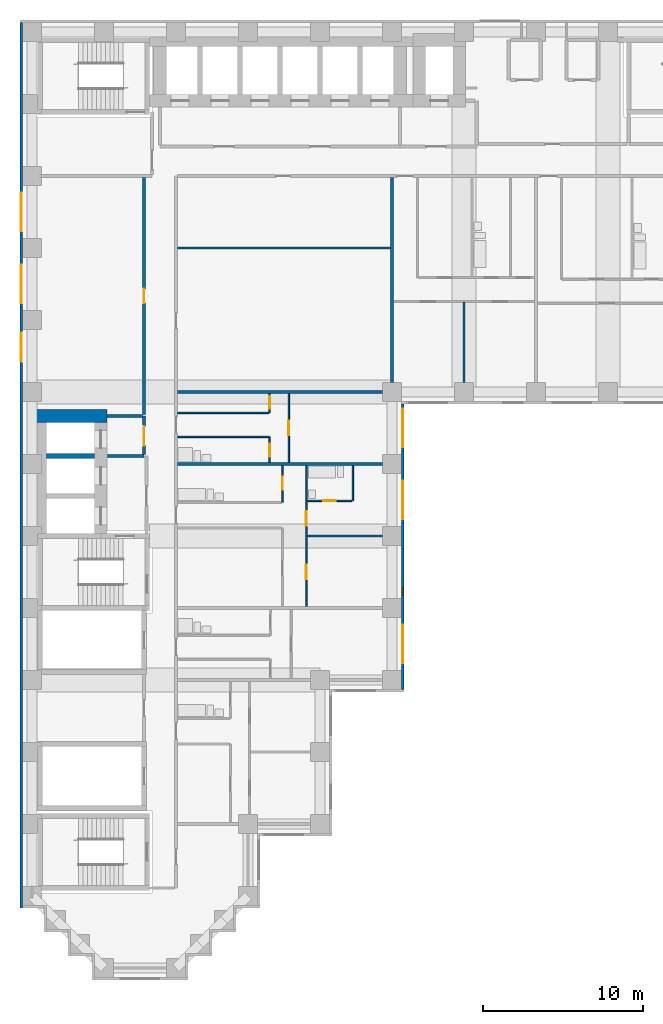
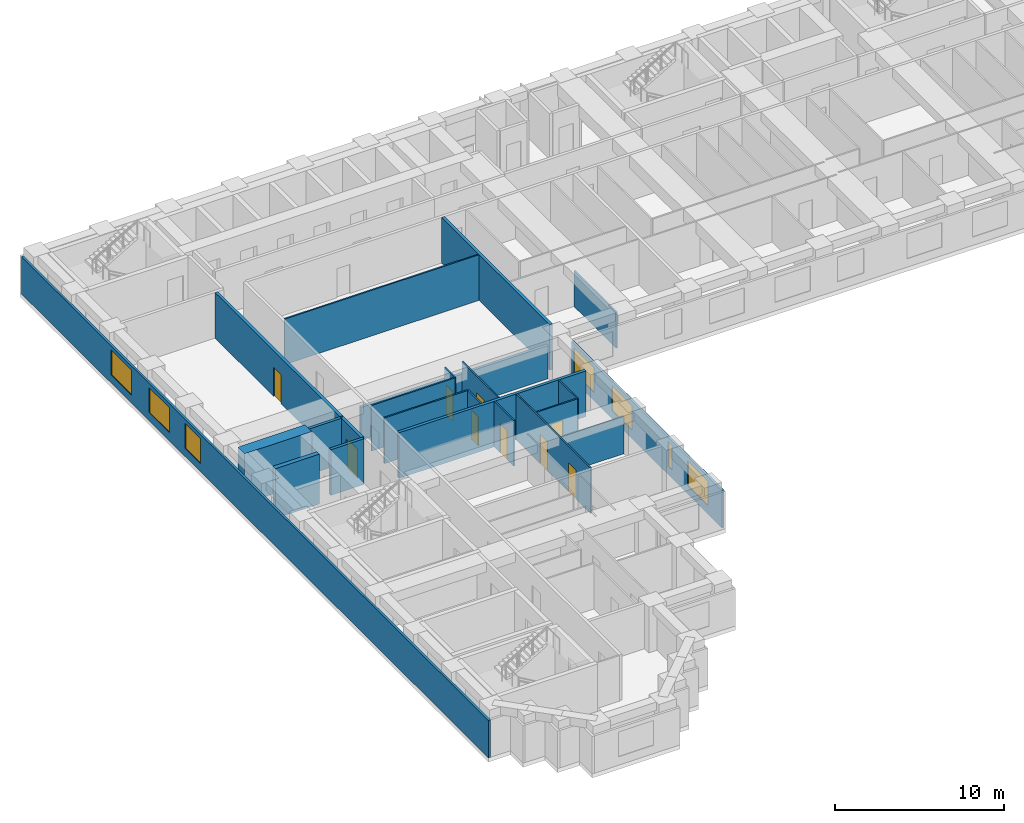
# One storey, part 4 of 11: 23 walls, 9 doors, 7 windows, 16 openings.
"""IFC4 building model written with IfcOpenShell, lengths in metres."""

from ifc_helpers import new_model, si_unit, direction, frame, frame_2d, origin, place, context, subcontext, project, spatial, rectangle, extrude, material, layer, layer_set, type_object, element, fill, save


model = new_model("IFC4")

# Units and contexts
model_context = context("Model", 3, precision=1e-05, world=origin(), true_north=direction((0.0, 1.0)))
body_context = subcontext(model_context, "Body", "Model", "MODEL_VIEW")
ifc_project = project(units=[si_unit("LENGTHUNIT", "METRE"), si_unit("AREAUNIT", "SQUARE_METRE"), si_unit("VOLUMEUNIT", "CUBIC_METRE"), si_unit("PLANEANGLEUNIT", "RADIAN"), si_unit("MASSUNIT", "GRAM", prefix="KILO")], contexts=[model_context])

# Site, building, storey
site_placement = place(None, origin())
site = spatial("IfcSite", under=ifc_project, at=site_placement, CompositionType="ELEMENT")
building_placement = place(site_placement, origin())
building = spatial("IfcBuilding", under=site, at=building_placement, Name="Firuza Court", CompositionType="ELEMENT")
storey_placement = place(building_placement, frame((0.0, 0.0, 83.0)))
storey = spatial("IfcBuildingStorey", under=building, at=storey_placement, Name="L20", CompositionType="ELEMENT", Elevation=83.0)

# Wall, opening, door
ifc_material_1 = material(Name="Moisture-resistant gypsum board partition")
ifc_layer_1 = layer(ifc_material_1, 0.10009765625)
ifc_layer_set_1 = layer_set([ifc_layer_1], Name="Moisture-resistant gypsum board partition")
wall_type_1 = type_object("IfcWallType", Name="Bathroom partition 100", PredefinedType="PLUMBINGWALL", material=ifc_layer_set_1)
wall_1_placement = place(storey_placement, frame((17.199951171875, 29.199951171875, 0.0), z_axis=(0.0, 0.0, 1.0), x_axis=(1.0, 0.0, 0.0)))
wall_1 = element("IfcWall", 1, at=wall_1_placement, inside=storey, type_object=wall_type_1, Name="Bathroom partition 100 L20", PredefinedType="PLUMBINGWALL", context=body_context, shape_type="SweptSolid", body=[
    extrude(rectangle(XDim=2.800048828125, YDim=0.10009765625, at=frame_2d((1.39990234375, 0.0))), origin(), (0.0, 0.0, 1.0), 3.300048828125),
])
opening_1_placement = place(wall_1_placement, frame((1.0, 0.0, 0.0)))
opening_1 = element("IfcOpeningElement", 2, at=opening_1_placement, cuts=wall_1, Name="Opening D20037", PredefinedType="OPENING", context=body_context, shape_type="SweptSolid", body=[
    extrude(rectangle(XDim=0.800048828125, YDim=2.10009765625, at=frame_2d((0.39990234375, 1.050048828125))), frame((0.0, 0.06201171875, 0.0), z_axis=(0.0, -1.0, 0.0), x_axis=(1.0, 0.0, 0.0)), (0.0, 0.0, 1.0), 0.1240234375),
])
ifc_material_2 = material(Name="Timber door leaf in hardwood frame", Category="wood")
door_type_1 = type_object("IfcDoorType", Name="Bathroom door 800", OperationType="SINGLE_SWING_LEFT", PredefinedType="DOOR", material=ifc_material_2)
door_1_placement = place(opening_1_placement, origin())
door_1 = element("IfcDoor", 3, at=door_1_placement, inside=storey, type_object=door_type_1, Name="En-suite door", OperationType="SINGLE_SWING_LEFT", OverallHeight=2.10009765625, OverallWidth=0.800048828125, PredefinedType="DOOR", context=body_context, shape_type="SweptSolid", body=[
    extrude(rectangle(XDim=0.800048828125, YDim=2.10009765625, at=frame_2d((0.39990234375, 1.050048828125))), frame((0.0, 0.02490234375, 0.0), z_axis=(0.0, -1.0, 0.0), x_axis=(1.0, 0.0, 0.0)), (0.0, 0.0, 1.0), 0.050048828125),
])
fill(opening_1, door_1)

# Walls
wall_2_placement = place(storey_placement, frame((20.050048828125, 29.199951171875, 0.0), z_axis=(0.0, 0.0, 1.0), x_axis=(0.0, 1.0, 0.0)))
element("IfcWall", 4, at=wall_2_placement, inside=storey, type_object=wall_type_1, Name="Bathroom partition 100 L20", PredefinedType="PLUMBINGWALL", context=body_context, shape_type="SweptSolid", body=[
    extrude(rectangle(XDim=2.199951171875, YDim=0.10009765625, at=frame_2d((1.10009765625, 0.0))), origin(), (0.0, 0.0, 1.0), 3.300048828125),
])
wall_3_placement = place(storey_placement, frame((9.10009765625, 33.199951171875, 0.0), z_axis=(0.0, 0.0, 1.0), x_axis=(1.0, 0.0, 0.0)))
element("IfcWall", 5, at=wall_3_placement, inside=storey, type_object=wall_type_1, Name="Bathroom partition 100 L20", PredefinedType="PLUMBINGWALL", context=body_context, shape_type="SweptSolid", body=[
    extrude(rectangle(XDim=5.699951171875, YDim=0.10009765625, at=frame_2d((2.85009765625, 0.0))), origin(), (0.0, 0.0, 1.0), 3.300048828125),
])
ifc_material_3 = material(Name="Concrete C60/75", Category="concrete")
ifc_layer_2 = layer(ifc_material_3, 0.300048828125)
ifc_layer_set_2 = layer_set([ifc_layer_2], Name="Concrete C60/75")
wall_type_2 = type_object("IfcWallType", Name="Core wall 300 C60/75", PredefinedType="SHEAR", material=ifc_layer_set_2)
wall_4_placement = place(storey_placement, frame((0.89990234375, 32.0, -0.300048828125), z_axis=(0.0, 0.0, 1.0), x_axis=(1.0, 0.0, 0.0)))
element("IfcWall", 6, at=wall_4_placement, inside=storey, type_object=wall_type_2, Name="Core wall lift shaft L20", PredefinedType="SHEAR", context=body_context, shape_type="SweptSolid", body=[
    extrude(rectangle(XDim=3.0, YDim=0.300048828125, at=frame_2d((1.5, 0.0))), origin(), (0.0, 0.0, 1.0), 3.60009765625),
])
ifc_layer_3 = layer(ifc_material_3, 0.800048828125)
ifc_layer_set_3 = layer_set([ifc_layer_3], Name="Concrete C60/75")
wall_type_3 = type_object("IfcWallType", Name="Core wall 800 C60/75", PredefinedType="SHEAR", material=ifc_layer_set_3)
wall_5_placement = place(storey_placement, frame((0.10009765625, 34.5, -0.300048828125), z_axis=(0.0, 0.0, 1.0), x_axis=(1.0, 0.0, 0.0)))
element("IfcWall", 7, at=wall_5_placement, inside=storey, type_object=wall_type_3, Name="Core wall lift shaft L20", PredefinedType="SHEAR", context=body_context, shape_type="SweptSolid", body=[
    extrude(rectangle(XDim=4.599853515625, YDim=0.800048828125, at=frame_2d((2.2998046875, 0.0))), origin(), (0.0, 0.0, 1.0), 3.60009765625),
])

# Wall, opening, door
ifc_material_4 = material(Name="Blockwork, plastered both sides", Category="masonry")
ifc_layer_4 = layer(ifc_material_4, 0.199951171875)
ifc_layer_set_4 = layer_set([ifc_layer_4], Name="Blockwork, plastered both sides")
wall_type_4 = type_object("IfcWallType", Name="Corridor wall 200", PredefinedType="PARTITIONING", material=ifc_layer_set_4)
wall_6_placement = place(storey_placement, frame((7.0, 34.60009765625, 0.0), z_axis=(0.0, 0.0, 1.0), x_axis=(0.0, 1.0, 0.0)))
wall_6 = element("IfcWall", 8, at=wall_6_placement, inside=storey, type_object=wall_type_4, Name="Corridor wall 200 L20", PredefinedType="PARTITIONING", context=body_context, shape_type="SweptSolid", body=[
    extrude(rectangle(XDim=14.7998046875, YDim=0.199951171875, at=frame_2d((7.39990234375, 0.0))), origin(), (0.0, 0.0, 1.0), 3.300048828125),
])
opening_2_placement = place(wall_6_placement, frame((6.949951171875, 0.0, 0.0)))
opening_2 = element("IfcOpeningElement", 9, at=opening_2_placement, cuts=wall_6, Name="Opening D20040", PredefinedType="OPENING", context=body_context, shape_type="SweptSolid", body=[
    extrude(rectangle(XDim=0.89990234375, YDim=2.10009765625, at=frame_2d((0.449951171875, 1.050048828125))), frame((0.0, 0.11181640625, 0.0), z_axis=(0.0, -1.0, 0.0), x_axis=(1.0, 0.0, 0.0)), (0.0, 0.0, 1.0), 0.223876953125),
])
ifc_material_5 = material(Name="Timber door leaf in hardwood frame", Category="wood")
door_type_2 = type_object("IfcDoorType", Name="Room door 900 EI 30", OperationType="SINGLE_SWING_LEFT", PredefinedType="DOOR", material=ifc_material_5)
door_2_placement = place(opening_2_placement, origin())
door_2 = element("IfcDoor", 10, at=door_2_placement, inside=storey, type_object=door_type_2, Name="Residents' workroom door", OperationType="SINGLE_SWING_LEFT", OverallHeight=2.10009765625, OverallWidth=0.89990234375, PredefinedType="DOOR", context=body_context, shape_type="SweptSolid", body=[
    extrude(rectangle(XDim=0.89990234375, YDim=2.10009765625, at=frame_2d((0.449951171875, 1.050048828125))), frame((0.0, 0.02490234375, 0.0), z_axis=(0.0, -1.0, 0.0), x_axis=(1.0, 0.0, 0.0)), (0.0, 0.0, 1.0), 0.050048828125),
])
fill(opening_2, door_2)

# Wall, openings, doors
ifc_material_6 = material(Name="Timber stud partition, plasterboard both sides", Category="wood")
ifc_layer_5 = layer(ifc_material_6, 0.10009765625)
ifc_layer_set_5 = layer_set([ifc_layer_5], Name="Timber stud partition, plasterboard both sides")
wall_type_5 = type_object("IfcWallType", Name="Partition wall 100", PredefinedType="PARTITIONING", material=ifc_layer_set_5)
wall_7_placement = place(storey_placement, frame((17.14990234375, 22.60009765625, 0.0), z_axis=(0.0, 0.0, 1.0), x_axis=(0.0, 1.0, 0.0)))
wall_7 = element("IfcWall", 11, at=wall_7_placement, inside=storey, type_object=wall_type_5, Name="Partition wall 100 L20", PredefinedType="PARTITIONING", context=body_context, shape_type="SweptSolid", body=[
    extrude(rectangle(XDim=8.7998046875, YDim=0.10009765625, at=frame_2d((4.39990234375, 0.0))), origin(), (0.0, 0.0, 1.0), 3.300048828125),
])
opening_3_placement = place(wall_7_placement, frame((1.699951171875, 0.0, 0.0)))
opening_3 = element("IfcOpeningElement", 12, at=opening_3_placement, cuts=wall_7, Name="Opening D20034", PredefinedType="OPENING", context=body_context, shape_type="SweptSolid", body=[
    extrude(rectangle(XDim=0.89990234375, YDim=2.10009765625, at=frame_2d((0.449951171875, 1.050048828125))), frame((0.0, 0.06201171875, 0.0), z_axis=(0.0, -1.0, 0.0), x_axis=(1.0, 0.0, 0.0)), (0.0, 0.0, 1.0), 0.1240234375),
])
opening_4_placement = place(wall_7_placement, frame((5.050048828125, 0.0, 0.0)))
opening_4 = element("IfcOpeningElement", 13, at=opening_4_placement, cuts=wall_7, Name="Opening D20035", PredefinedType="OPENING", context=body_context, shape_type="SweptSolid", body=[
    extrude(rectangle(XDim=0.89990234375, YDim=2.10009765625, at=frame_2d((0.449951171875, 1.050048828125))), frame((0.0, 0.06201171875, 0.0), z_axis=(0.0, -1.0, 0.0), x_axis=(1.0, 0.0, 0.0)), (0.0, 0.0, 1.0), 0.1240234375),
])
ifc_material_7 = material(Name="Timber door leaf in hardwood frame", Category="wood")
door_type_3 = type_object("IfcDoorType", Name="Room door 900", OperationType="SINGLE_SWING_LEFT", PredefinedType="DOOR", material=ifc_material_7)
door_3_placement = place(opening_3_placement, frame((0.89990234375, 0.0, 0.0), z_axis=(0.0, 0.0, 1.0), x_axis=(-1.0, 0.0, 0.0)))
door_3 = element("IfcDoor", 14, at=door_3_placement, inside=storey, type_object=door_type_3, Name="Living room door", OperationType="SINGLE_SWING_RIGHT", OverallHeight=2.10009765625, OverallWidth=0.89990234375, PredefinedType="DOOR", context=body_context, shape_type="SweptSolid", body=[
    extrude(rectangle(XDim=0.89990234375, YDim=2.10009765625, at=frame_2d((0.449951171875, 1.050048828125))), frame((0.0, 0.02490234375, 0.0), z_axis=(0.0, -1.0, 0.0), x_axis=(1.0, 0.0, 0.0)), (0.0, 0.0, 1.0), 0.050048828125),
])
fill(opening_3, door_3)
door_4_placement = place(opening_4_placement, frame((0.89990234375, 0.0, 0.0), z_axis=(0.0, 0.0, 1.0), x_axis=(-1.0, 0.0, 0.0)))
door_4 = element("IfcDoor", 15, at=door_4_placement, inside=storey, type_object=door_type_3, Name="Bedroom door", OperationType="SINGLE_SWING_RIGHT", OverallHeight=2.10009765625, OverallWidth=0.89990234375, PredefinedType="DOOR", context=body_context, shape_type="SweptSolid", body=[
    extrude(rectangle(XDim=0.89990234375, YDim=2.10009765625, at=frame_2d((0.449951171875, 1.050048828125))), frame((0.0, 0.02490234375, 0.0), z_axis=(0.0, -1.0, 0.0), x_axis=(1.0, 0.0, 0.0)), (0.0, 0.0, 1.0), 0.050048828125),
])
fill(opening_4, door_4)

# Wall
wall_8_placement = place(storey_placement, frame((17.199951171875, 27.0, 0.0), z_axis=(0.0, 0.0, 1.0), x_axis=(1.0, 0.0, 0.0)))
element("IfcWall", 16, at=wall_8_placement, inside=storey, type_object=wall_type_5, Name="Partition wall 100 L20", PredefinedType="PARTITIONING", context=body_context, shape_type="SweptSolid", body=[
    extrude(rectangle(XDim=4.699951171875, YDim=0.10009765625, at=frame_2d((2.35009765625, 0.0))), origin(), (0.0, 0.0, 1.0), 2.699951171875),
])

# Wall, opening, door
wall_9_placement = place(storey_placement, frame((15.64990234375, 29.10009765625, 0.0), z_axis=(0.0, 0.0, 1.0), x_axis=(0.0, 1.0, 0.0)))
wall_9 = element("IfcWall", 17, at=wall_9_placement, inside=storey, type_object=wall_type_5, Name="Partition wall 100 L20", PredefinedType="PARTITIONING", context=body_context, shape_type="SweptSolid", body=[
    extrude(rectangle(XDim=2.2998046875, YDim=0.10009765625, at=frame_2d((1.14990234375, 0.0))), origin(), (0.0, 0.0, 1.0), 3.300048828125),
])
opening_5_placement = place(wall_9_placement, frame((0.800048828125, 0.0, 0.0)))
opening_5 = element("IfcOpeningElement", 18, at=opening_5_placement, cuts=wall_9, Name="Opening D20036", PredefinedType="OPENING", context=body_context, shape_type="SweptSolid", body=[
    extrude(rectangle(XDim=0.800048828125, YDim=2.10009765625, at=frame_2d((0.39990234375, 1.050048828125))), frame((0.0, 0.06201171875, 0.0), z_axis=(0.0, -1.0, 0.0), x_axis=(1.0, 0.0, 0.0)), (0.0, 0.0, 1.0), 0.1240234375),
])
door_5_placement = place(opening_5_placement, origin())
door_5 = element("IfcDoor", 19, at=door_5_placement, inside=storey, type_object=door_type_1, Name="Bathroom door", OperationType="SINGLE_SWING_LEFT", OverallHeight=2.10009765625, OverallWidth=0.800048828125, PredefinedType="DOOR", context=body_context, shape_type="SweptSolid", body=[
    extrude(rectangle(XDim=0.800048828125, YDim=2.10009765625, at=frame_2d((0.39990234375, 1.050048828125))), frame((0.0, 0.02490234375, 0.0), z_axis=(0.0, -1.0, 0.0), x_axis=(1.0, 0.0, 0.0)), (0.0, 0.0, 1.0), 0.050048828125),
])
fill(opening_5, door_5)

wall_10_placement = place(storey_placement, frame((14.85009765625, 31.60009765625, 0.0), z_axis=(0.0, 0.0, 1.0), x_axis=(0.0, 1.0, 0.0)))
wall_10 = element("IfcWall", 20, at=wall_10_placement, inside=storey, type_object=wall_type_5, Name="Partition wall 100 L20", PredefinedType="PARTITIONING", context=body_context, shape_type="SweptSolid", body=[
    extrude(rectangle(XDim=1.599853515625, YDim=0.10009765625, at=frame_2d((0.7998046875, 0.0))), origin(), (0.0, 0.0, 1.0), 3.300048828125),
])
opening_6_placement = place(wall_10_placement, frame((0.35009765625, 0.0, 0.0)))
opening_6 = element("IfcOpeningElement", 21, at=opening_6_placement, cuts=wall_10, Name="Opening D20038", PredefinedType="OPENING", context=body_context, shape_type="SweptSolid", body=[
    extrude(rectangle(XDim=0.800048828125, YDim=2.10009765625, at=frame_2d((0.39990234375, 1.050048828125))), frame((0.0, 0.06201171875, 0.0), z_axis=(0.0, -1.0, 0.0), x_axis=(1.0, 0.0, 0.0)), (0.0, 0.0, 1.0), 0.1240234375),
])
door_6_placement = place(opening_6_placement, origin())
door_6 = element("IfcDoor", 22, at=door_6_placement, inside=storey, type_object=door_type_1, Name="Bathroom door", OperationType="SINGLE_SWING_LEFT", OverallHeight=2.10009765625, OverallWidth=0.800048828125, PredefinedType="DOOR", context=body_context, shape_type="SweptSolid", body=[
    extrude(rectangle(XDim=0.800048828125, YDim=2.10009765625, at=frame_2d((0.39990234375, 1.050048828125))), frame((0.0, 0.02490234375, 0.0), z_axis=(0.0, -1.0, 0.0), x_axis=(1.0, 0.0, 0.0)), (0.0, 0.0, 1.0), 0.050048828125),
])
fill(opening_6, door_6)

wall_11_placement = place(storey_placement, frame((16.050048828125, 31.60009765625, 0.0), z_axis=(0.0, 0.0, 1.0), x_axis=(0.0, 1.0, 0.0)))
wall_11 = element("IfcWall", 23, at=wall_11_placement, inside=storey, type_object=wall_type_5, Name="Partition wall 100 L20", PredefinedType="PARTITIONING", context=body_context, shape_type="SweptSolid", body=[
    extrude(rectangle(XDim=4.2998046875, YDim=0.10009765625, at=frame_2d((2.14990234375, 0.0))), origin(), (0.0, 0.0, 1.0), 3.300048828125),
])
opening_7_placement = place(wall_11_placement, frame((1.699951171875, 0.0, 0.0)))
opening_7 = element("IfcOpeningElement", 24, at=opening_7_placement, cuts=wall_11, Name="Opening D20039", PredefinedType="OPENING", context=body_context, shape_type="SweptSolid", body=[
    extrude(rectangle(XDim=0.89990234375, YDim=2.10009765625, at=frame_2d((0.449951171875, 1.050048828125))), frame((0.0, 0.06201171875, 0.0), z_axis=(0.0, -1.0, 0.0), x_axis=(1.0, 0.0, 0.0)), (0.0, 0.0, 1.0), 0.1240234375),
])
door_7_placement = place(opening_7_placement, frame((0.89990234375, 0.0, 0.0), z_axis=(0.0, 0.0, 1.0), x_axis=(-1.0, 0.0, 0.0)))
door_7 = element("IfcDoor", 25, at=door_7_placement, inside=storey, type_object=door_type_3, Name="Studio room door", OperationType="SINGLE_SWING_RIGHT", OverallHeight=2.10009765625, OverallWidth=0.89990234375, PredefinedType="DOOR", context=body_context, shape_type="SweptSolid", body=[
    extrude(rectangle(XDim=0.89990234375, YDim=2.10009765625, at=frame_2d((0.449951171875, 1.050048828125))), frame((0.0, 0.02490234375, 0.0), z_axis=(0.0, -1.0, 0.0), x_axis=(1.0, 0.0, 0.0)), (0.0, 0.0, 1.0), 0.050048828125),
])
fill(opening_7, door_7)

# Wall
wall_12_placement = place(storey_placement, frame((9.10009765625, 34.699951171875, 0.0), z_axis=(0.0, 0.0, 1.0), x_axis=(1.0, 0.0, 0.0)))
element("IfcWall", 26, at=wall_12_placement, inside=storey, type_object=wall_type_5, Name="Partition wall 100 L20", PredefinedType="PARTITIONING", context=body_context, shape_type="SweptSolid", body=[
    extrude(rectangle(XDim=5.699951171875, YDim=0.10009765625, at=frame_2d((2.85009765625, 0.0))), origin(), (0.0, 0.0, 1.0), 3.300048828125),
])

# Wall, opening, door
wall_13_placement = place(storey_placement, frame((14.85009765625, 34.699951171875, 0.0), z_axis=(0.0, 0.0, 1.0), x_axis=(0.0, 1.0, 0.0)))
wall_13 = element("IfcWall", 27, at=wall_13_placement, inside=storey, type_object=wall_type_5, Name="Partition wall 100 L20", PredefinedType="PARTITIONING", context=body_context, shape_type="SweptSolid", body=[
    extrude(rectangle(XDim=1.199951171875, YDim=0.10009765625, at=frame_2d((0.60009765625, 0.0))), origin(), (0.0, 0.0, 1.0), 3.300048828125),
])
opening_8_placement = place(wall_13_placement, frame((0.25, 0.0, 0.0)))
opening_8 = element("IfcOpeningElement", 28, at=opening_8_placement, cuts=wall_13, Name="Opening D20041", PredefinedType="OPENING", context=body_context, shape_type="SweptSolid", body=[
    extrude(rectangle(XDim=0.800048828125, YDim=2.10009765625, at=frame_2d((0.39990234375, 1.050048828125))), frame((0.0, 0.06201171875, 0.0), z_axis=(0.0, -1.0, 0.0), x_axis=(1.0, 0.0, 0.0)), (0.0, 0.0, 1.0), 0.1240234375),
])
ifc_material_8 = material(Name="Timber door leaf in hardwood frame", Category="wood")
door_type_4 = type_object("IfcDoorType", Name="Room door 800", OperationType="SINGLE_SWING_LEFT", PredefinedType="DOOR", material=ifc_material_8)
door_8_placement = place(opening_8_placement, origin())
door_8 = element("IfcDoor", 29, at=door_8_placement, inside=storey, type_object=door_type_4, Name="Kitchen door", OperationType="SINGLE_SWING_LEFT", OverallHeight=2.10009765625, OverallWidth=0.800048828125, PredefinedType="DOOR", context=body_context, shape_type="SweptSolid", body=[
    extrude(rectangle(XDim=0.800048828125, YDim=2.10009765625, at=frame_2d((0.39990234375, 1.050048828125))), frame((0.0, 0.02490234375, 0.0), z_axis=(0.0, -1.0, 0.0), x_axis=(1.0, 0.0, 0.0)), (0.0, 0.0, 1.0), 0.050048828125),
])
fill(opening_8, door_8)

# Walls
wall_14_placement = place(storey_placement, frame((27.0, 36.60009765625, 0.0), z_axis=(0.0, 0.0, 1.0), x_axis=(0.0, 1.0, 0.0)))
element("IfcWall", 30, at=wall_14_placement, inside=storey, type_object=wall_type_5, Name="Partition wall 100 L20", PredefinedType="PARTITIONING", context=body_context, shape_type="SweptSolid", body=[
    extrude(rectangle(XDim=5.0, YDim=0.10009765625, at=frame_2d((2.5, 0.0))), origin(), (0.0, 0.0, 1.0), 2.60009765625),
])
wall_15_placement = place(storey_placement, frame((9.10009765625, 45.0, 0.0), z_axis=(0.0, 0.0, 1.0), x_axis=(1.0, 0.0, 0.0)))
element("IfcWall", 31, at=wall_15_placement, inside=storey, type_object=wall_type_5, Name="Partition wall 100 L20", PredefinedType="PARTITIONING", context=body_context, shape_type="SweptSolid", body=[
    extrude(rectangle(XDim=13.2998046875, YDim=0.10009765625, at=frame_2d((6.64990234375, 0.0))), origin(), (0.0, 0.0, 1.0), 3.300048828125),
])
ifc_layer_6 = layer(ifc_material_4, 0.199951171875)
ifc_layer_set_6 = layer_set([ifc_layer_6], Name="Blockwork, plastered both sides")
wall_type_6 = type_object("IfcWallType", Name="Party wall 200", PredefinedType="PARTITIONING", material=ifc_layer_set_6)
wall_16_placement = place(storey_placement, frame((9.10009765625, 31.5, 0.0), z_axis=(0.0, 0.0, 1.0), x_axis=(1.0, 0.0, 0.0)))
element("IfcWall", 32, at=wall_16_placement, inside=storey, type_object=wall_type_6, Name="Party wall 200 L20", PredefinedType="PARTITIONING", context=body_context, shape_type="SweptSolid", body=[
    extrude(rectangle(XDim=12.7998046875, YDim=0.199951171875, at=frame_2d((6.39990234375, 0.0))), origin(), (0.0, 0.0, 1.0), 3.300048828125),
])
wall_17_placement = place(storey_placement, frame((9.10009765625, 36.0, 0.0), z_axis=(0.0, 0.0, 1.0), x_axis=(1.0, 0.0, 0.0)))
element("IfcWall", 33, at=wall_17_placement, inside=storey, type_object=wall_type_6, Name="Party wall 200 L20", PredefinedType="PARTITIONING", context=body_context, shape_type="SweptSolid", body=[
    extrude(rectangle(XDim=12.7998046875, YDim=0.199951171875, at=frame_2d((6.39990234375, 0.0))), origin(), (0.0, 0.0, 1.0), 2.39990234375),
])
wall_18_placement = place(storey_placement, frame((22.5, 36.60009765625, 0.0), z_axis=(0.0, 0.0, 1.0), x_axis=(0.0, 1.0, 0.0)))
element("IfcWall", 34, at=wall_18_placement, inside=storey, type_object=wall_type_6, Name="Party wall 200 L20", PredefinedType="PARTITIONING", context=body_context, shape_type="SweptSolid", body=[
    extrude(rectangle(XDim=12.7998046875, YDim=0.199951171875, at=frame_2d((6.39990234375, 0.0))), origin(), (0.0, 0.0, 1.0), 3.300048828125),
])

# Wall, openings, windows
ifc_material_9 = material(Name="Ceramic tile", Category="ceramic")
ifc_layer_7 = layer(ifc_material_9, 0.02001953125)
ifc_material_10 = material(Name="Mineral wool insulation", Category="insulation")
ifc_layer_8 = layer(ifc_material_10, 0.050048828125)
ifc_material_11 = material(Name="Concrete C40/50 precast", Category="concrete")
ifc_layer_9 = layer(ifc_material_11, 0.080078125)
ifc_layer_set_7 = layer_set([ifc_layer_7, ifc_layer_8, ifc_layer_9], Name="Concrete C40/50 precast")
wall_type_7 = type_object("IfcWallType", Name="Precast cladding wall with turquoise TILE PANEL face 150", PredefinedType="STANDARD", material=ifc_layer_set_7)
wall_19_placement = place(storey_placement, frame((23.175048828125, 17.39990234375, 0.0), z_axis=(0.0, 0.0, 1.0), x_axis=(0.0, 1.0, 0.0)))
wall_19 = element("IfcWall", 35, at=wall_19_placement, inside=storey, type_object=wall_type_7, Name="Facade wall L20 E", PredefinedType="STANDARD", context=body_context, shape_type="SweptSolid", body=[
    extrude(rectangle(XDim=17.85009765625, YDim=0.14990234375, at=frame_2d((8.925048828125, 0.0))), origin(), (0.0, 0.0, 1.0), 2.699951171875),
])
opening_9_placement = place(wall_19_placement, frame((1.64990234375, 0.0, 0.60009765625)))
opening_9 = element("IfcOpeningElement", 36, at=opening_9_placement, cuts=wall_19, Name="Opening W1", PredefinedType="OPENING", context=body_context, shape_type="SweptSolid", body=[
    extrude(rectangle(XDim=2.39990234375, YDim=1.800048828125, at=frame_2d((1.199951171875, 0.89990234375))), frame((0.0, 0.0869140625, 0.0), z_axis=(0.0, -1.0, 0.0), x_axis=(1.0, 0.0, 0.0)), (0.0, 0.0, 1.0), 0.173828125),
])
opening_10_placement = place(wall_19_placement, frame((5.92578125, 0.0, 0.60009765625)))
opening_10 = element("IfcOpeningElement", 37, at=opening_10_placement, cuts=wall_19, Name="Opening W5", PredefinedType="OPENING", context=body_context, shape_type="SweptSolid", body=[
    extrude(rectangle(XDim=0.449951171875, YDim=1.800048828125, at=frame_2d((0.22509765625, 0.89990234375))), frame((0.0, 0.0869140625, 0.0), z_axis=(0.0, -1.0, 0.0), x_axis=(1.0, 0.0, 0.0)), (0.0, 0.0, 1.0), 0.173828125),
])
opening_11_placement = place(wall_19_placement, frame((10.64990234375, 0.0, 0.60009765625)))
opening_11 = element("IfcOpeningElement", 38, at=opening_11_placement, cuts=wall_19, Name="Opening W1", PredefinedType="OPENING", context=body_context, shape_type="SweptSolid", body=[
    extrude(rectangle(XDim=2.39990234375, YDim=1.800048828125, at=frame_2d((1.199951171875, 0.89990234375))), frame((0.0, 0.0869140625, 0.0), z_axis=(0.0, -1.0, 0.0), x_axis=(1.0, 0.0, 0.0)), (0.0, 0.0, 1.0), 0.173828125),
])
opening_12_placement = place(wall_19_placement, frame((15.14990234375, 0.0, 0.60009765625)))
opening_12 = element("IfcOpeningElement", 39, at=opening_12_placement, cuts=wall_19, Name="Opening W1", PredefinedType="OPENING", context=body_context, shape_type="SweptSolid", body=[
    extrude(rectangle(XDim=2.39990234375, YDim=1.800048828125, at=frame_2d((1.199951171875, 0.89990234375))), frame((0.0, 0.0869140625, 0.0), z_axis=(0.0, -1.0, 0.0), x_axis=(1.0, 0.0, 0.0)), (0.0, 0.0, 1.0), 0.173828125),
])
ifc_material_12 = material(Name="Aluminium frame, triple clear glazing", Category="aluminium")
window_type_1 = type_object("IfcWindowType", Name="Window W1 2400 x 1800", PartitioningType="SINGLE_PANEL", PredefinedType="WINDOW", material=ifc_material_12)
window_1_placement = place(opening_9_placement, origin())
window_1 = element("IfcWindow", 40, at=window_1_placement, inside=storey, type_object=window_type_1, Name="Window L20", OverallHeight=1.800048828125, OverallWidth=2.39990234375, PartitioningType="SINGLE_PANEL", PredefinedType="WINDOW", context=body_context, shape_type="SweptSolid", body=[
    extrude(rectangle(XDim=2.39990234375, YDim=1.800048828125, at=frame_2d((1.199951171875, 0.89990234375))), frame((0.0, 0.030029296875, 0.0), z_axis=(0.0, -1.0, 0.0), x_axis=(1.0, 0.0, 0.0)), (0.0, 0.0, 1.0), 0.06005859375),
])
fill(opening_9, window_1)
window_2_placement = place(opening_11_placement, origin())
window_2 = element("IfcWindow", 41, at=window_2_placement, inside=storey, type_object=window_type_1, Name="Window L20", OverallHeight=1.800048828125, OverallWidth=2.39990234375, PartitioningType="SINGLE_PANEL", PredefinedType="WINDOW", context=body_context, shape_type="SweptSolid", body=[
    extrude(rectangle(XDim=2.39990234375, YDim=1.800048828125, at=frame_2d((1.199951171875, 0.89990234375))), frame((0.0, 0.030029296875, 0.0), z_axis=(0.0, -1.0, 0.0), x_axis=(1.0, 0.0, 0.0)), (0.0, 0.0, 1.0), 0.06005859375),
])
fill(opening_11, window_2)
window_3_placement = place(opening_12_placement, origin())
window_3 = element("IfcWindow", 42, at=window_3_placement, inside=storey, type_object=window_type_1, Name="Window L20", OverallHeight=1.800048828125, OverallWidth=2.39990234375, PartitioningType="SINGLE_PANEL", PredefinedType="WINDOW", context=body_context, shape_type="SweptSolid", body=[
    extrude(rectangle(XDim=2.39990234375, YDim=1.800048828125, at=frame_2d((1.199951171875, 0.89990234375))), frame((0.0, 0.030029296875, 0.0), z_axis=(0.0, -1.0, 0.0), x_axis=(1.0, 0.0, 0.0)), (0.0, 0.0, 1.0), 0.06005859375),
])
fill(opening_12, window_3)
ifc_material_13 = material(Name="Aluminium frame, triple clear glazing", Category="aluminium")
window_type_2 = type_object("IfcWindowType", Name="Window W5 450 x 1800", PartitioningType="SINGLE_PANEL", PredefinedType="WINDOW", material=ifc_material_13)
window_4_placement = place(opening_10_placement, origin())
window_4 = element("IfcWindow", 43, at=window_4_placement, inside=storey, type_object=window_type_2, Name="Window L20", OverallHeight=1.800048828125, OverallWidth=0.449951171875, PartitioningType="SINGLE_PANEL", PredefinedType="WINDOW", context=body_context, shape_type="SweptSolid", body=[
    extrude(rectangle(XDim=0.449951171875, YDim=1.800048828125, at=frame_2d((0.22509765625, 0.89990234375))), frame((0.0, 0.030029296875, 0.0), z_axis=(0.0, -1.0, 0.0), x_axis=(1.0, 0.0, 0.0)), (0.0, 0.0, 1.0), 0.06005859375),
])
fill(opening_10, window_4)

wall_20_placement = place(storey_placement, frame((-0.675048828125, 59.10009765625, 0.0), z_axis=(0.0, 0.0, 1.0), x_axis=(0.0, -1.0, 0.0)))
wall_20 = element("IfcWall", 44, at=wall_20_placement, inside=storey, type_object=wall_type_7, Name="Facade wall L20 W", PredefinedType="STANDARD", context=body_context, shape_type="SweptSolid", body=[
    extrude(rectangle(XDim=55.35009765625, YDim=0.14990234375, at=frame_2d((27.675048828125, 0.0))), origin(), (0.0, 0.0, 1.0), 2.699951171875),
])
opening_13_placement = place(wall_20_placement, frame((10.64990234375, 0.0, 0.60009765625)))
opening_13 = element("IfcOpeningElement", 45, at=opening_13_placement, cuts=wall_20, Name="Opening W1", PredefinedType="OPENING", context=body_context, shape_type="SweptSolid", body=[
    extrude(rectangle(XDim=2.39990234375, YDim=1.800048828125, at=frame_2d((1.199951171875, 0.89990234375))), frame((0.0, 0.0869140625, 0.0), z_axis=(0.0, -1.0, 0.0), x_axis=(1.0, 0.0, 0.0)), (0.0, 0.0, 1.0), 0.173828125),
])
opening_14_placement = place(wall_20_placement, frame((15.14990234375, 0.0, 0.60009765625)))
opening_14 = element("IfcOpeningElement", 46, at=opening_14_placement, cuts=wall_20, Name="Opening W1", PredefinedType="OPENING", context=body_context, shape_type="SweptSolid", body=[
    extrude(rectangle(XDim=2.39990234375, YDim=1.800048828125, at=frame_2d((1.199951171875, 0.89990234375))), frame((0.0, 0.0869140625, 0.0), z_axis=(0.0, -1.0, 0.0), x_axis=(1.0, 0.0, 0.0)), (0.0, 0.0, 1.0), 0.173828125),
])
opening_15_placement = place(wall_20_placement, frame((19.40966796875, 0.0, 0.60009765625)))
opening_15 = element("IfcOpeningElement", 47, at=opening_15_placement, cuts=wall_20, Name="Opening W7", PredefinedType="OPENING", context=body_context, shape_type="SweptSolid", body=[
    extrude(rectangle(XDim=1.800048828125, YDim=1.800048828125, at=frame_2d((0.89990234375, 0.89990234375))), frame((0.0, 0.0869140625, 0.0), z_axis=(0.0, -1.0, 0.0), x_axis=(1.0, 0.0, 0.0)), (0.0, 0.0, 1.0), 0.173828125),
])
window_5_placement = place(opening_13_placement, origin())
window_5 = element("IfcWindow", 48, at=window_5_placement, inside=storey, type_object=window_type_1, Name="Window L20", OverallHeight=1.800048828125, OverallWidth=2.39990234375, PartitioningType="SINGLE_PANEL", PredefinedType="WINDOW", context=body_context, shape_type="SweptSolid", body=[
    extrude(rectangle(XDim=2.39990234375, YDim=1.800048828125, at=frame_2d((1.199951171875, 0.89990234375))), frame((0.0, 0.030029296875, 0.0), z_axis=(0.0, -1.0, 0.0), x_axis=(1.0, 0.0, 0.0)), (0.0, 0.0, 1.0), 0.06005859375),
])
fill(opening_13, window_5)
window_6_placement = place(opening_14_placement, origin())
window_6 = element("IfcWindow", 49, at=window_6_placement, inside=storey, type_object=window_type_1, Name="Window L20", OverallHeight=1.800048828125, OverallWidth=2.39990234375, PartitioningType="SINGLE_PANEL", PredefinedType="WINDOW", context=body_context, shape_type="SweptSolid", body=[
    extrude(rectangle(XDim=2.39990234375, YDim=1.800048828125, at=frame_2d((1.199951171875, 0.89990234375))), frame((0.0, 0.030029296875, 0.0), z_axis=(0.0, -1.0, 0.0), x_axis=(1.0, 0.0, 0.0)), (0.0, 0.0, 1.0), 0.06005859375),
])
fill(opening_14, window_6)
ifc_material_14 = material(Name="Aluminium frame, triple clear glazing", Category="aluminium")
window_type_3 = type_object("IfcWindowType", Name="Window W7 1800 x 1800", PartitioningType="SINGLE_PANEL", PredefinedType="WINDOW", material=ifc_material_14)
window_7_placement = place(opening_15_placement, origin())
window_7 = element("IfcWindow", 50, at=window_7_placement, inside=storey, type_object=window_type_3, Name="Window L20", OverallHeight=1.800048828125, OverallWidth=1.800048828125, PartitioningType="SINGLE_PANEL", PredefinedType="WINDOW", context=body_context, shape_type="SweptSolid", body=[
    extrude(rectangle(XDim=1.800048828125, YDim=1.800048828125, at=frame_2d((0.89990234375, 0.89990234375))), frame((0.0, 0.030029296875, 0.0), z_axis=(0.0, -1.0, 0.0), x_axis=(1.0, 0.0, 0.0)), (0.0, 0.0, 1.0), 0.06005859375),
])
fill(opening_15, window_7)

# Wall
ifc_material_15 = material(Name="Blockwork, fire-rated", Category="masonry")
ifc_layer_10 = layer(ifc_material_15, 0.199951171875)
ifc_layer_set_8 = layer_set([ifc_layer_10], Name="Blockwork, fire-rated")
wall_type_8 = type_object("IfcWallType", Name="Shaft wall 200", PredefinedType="PARTITIONING", material=ifc_layer_set_8)
wall_21_placement = place(storey_placement, frame((4.719970703125, 32.0, 0.0), z_axis=(0.0, 0.0, 1.0), x_axis=(1.0, 0.0, 0.0)))
element("IfcWall", 51, at=wall_21_placement, inside=storey, type_object=wall_type_8, Name="Shaft wall 200 L20", PredefinedType="PARTITIONING", context=body_context, shape_type="SweptSolid", body=[
    extrude(rectangle(XDim=2.280029296875, YDim=0.199951171875, at=frame_2d((1.14013671875, 0.0))), origin(), (0.0, 0.0, 1.0), 3.300048828125),
])

# Wall, opening, door
wall_22_placement = place(storey_placement, frame((7.0, 32.10009765625, 0.0), z_axis=(0.0, 0.0, 1.0), x_axis=(0.0, 1.0, 0.0)))
wall_22 = element("IfcWall", 52, at=wall_22_placement, inside=storey, type_object=wall_type_8, Name="Shaft wall 200 L20", PredefinedType="PARTITIONING", context=body_context, shape_type="SweptSolid", body=[
    extrude(rectangle(XDim=2.39990234375, YDim=0.199951171875, at=frame_2d((1.199951171875, 0.0))), origin(), (0.0, 0.0, 1.0), 3.300048828125),
])
opening_16_placement = place(wall_22_placement, frame((0.550048828125, 0.0, 0.0)))
opening_16 = element("IfcOpeningElement", 53, at=opening_16_placement, cuts=wall_22, Name="Opening D20008", PredefinedType="OPENING", context=body_context, shape_type="SweptSolid", body=[
    extrude(rectangle(XDim=1.199951171875, YDim=2.10009765625, at=frame_2d((0.60009765625, 1.050048828125))), frame((0.0, 0.11181640625, 0.0), z_axis=(0.0, -1.0, 0.0), x_axis=(1.0, 0.0, 0.0)), (0.0, 0.0, 1.0), 0.223876953125),
])
ifc_material_16 = material(Name="Timber door leaf in hardwood frame", Category="wood")
door_type_5 = type_object("IfcDoorType", Name="Lobby door 1200", OperationType="SINGLE_SWING_LEFT", PredefinedType="DOOR", material=ifc_material_16)
door_9_placement = place(opening_16_placement, origin())
door_9 = element("IfcDoor", 54, at=door_9_placement, inside=storey, type_object=door_type_5, Name="Lobby door", OperationType="SINGLE_SWING_LEFT", OverallHeight=2.10009765625, OverallWidth=1.199951171875, PredefinedType="DOOR", context=body_context, shape_type="SweptSolid", body=[
    extrude(rectangle(XDim=1.199951171875, YDim=2.10009765625, at=frame_2d((0.60009765625, 1.050048828125))), frame((0.0, 0.02490234375, 0.0), z_axis=(0.0, -1.0, 0.0), x_axis=(1.0, 0.0, 0.0)), (0.0, 0.0, 1.0), 0.050048828125),
])
fill(opening_16, door_9)

# Wall
wall_23_placement = place(storey_placement, frame((4.699951171875, 34.5, 0.0), z_axis=(0.0, 0.0, 1.0), x_axis=(1.0, 0.0, 0.0)))
element("IfcWall", 55, at=wall_23_placement, inside=storey, type_object=wall_type_8, Name="Shaft wall 200 L20", PredefinedType="PARTITIONING", context=body_context, shape_type="SweptSolid", body=[
    extrude(rectangle(XDim=2.199951171875, YDim=0.199951171875, at=frame_2d((1.10009765625, 0.0))), origin(), (0.0, 0.0, 1.0), 3.300048828125),
])

save(model, "model.ifc")
